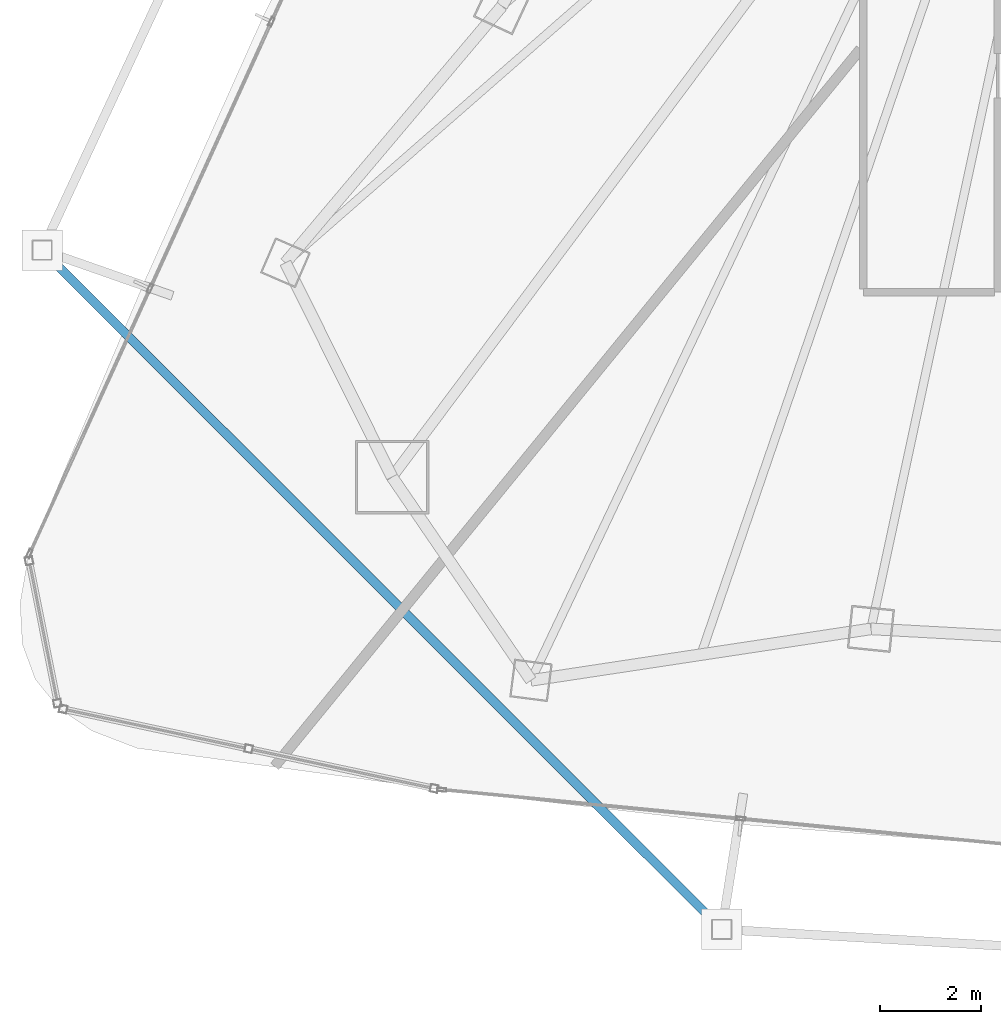
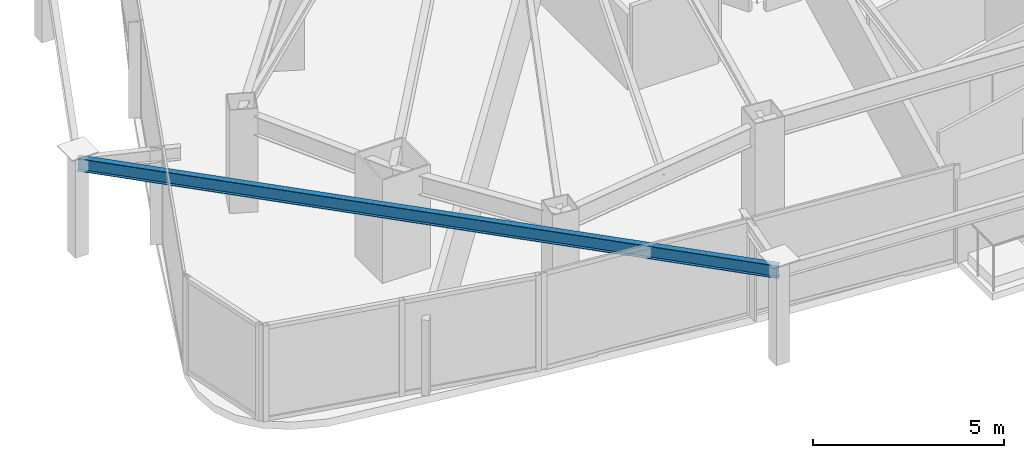
# One storey, part 3 of 33: 1 beam.
"""IFC4 building model written with IfcOpenShell, lengths in metres."""

from ifc_helpers import new_model, si_unit, direction, frame, origin, origin_2d, place, context, subcontext, project, spatial, i_section, extrude, material, material_profile, profile_set, type_object, element, save


model = new_model("IFC4")

# Units and contexts
model_context = context("Model", 3, precision=1e-05, world=origin(), true_north=direction((0.0, 1.0)))
body_context = subcontext(model_context, "Body", "Model", "MODEL_VIEW")
ifc_project = project(units=[si_unit("LENGTHUNIT", "METRE"), si_unit("AREAUNIT", "SQUARE_METRE"), si_unit("VOLUMEUNIT", "CUBIC_METRE"), si_unit("PLANEANGLEUNIT", "RADIAN"), si_unit("MASSUNIT", "GRAM", prefix="KILO")], contexts=[model_context])

# Site, building, storey
site_placement = place(None, origin())
site = spatial("IfcSite", under=ifc_project, at=site_placement, CompositionType="ELEMENT")
building_placement = place(site_placement, origin())
building = spatial("IfcBuilding", under=site, at=building_placement, Name="Orvanel Arch Residences", CompositionType="ELEMENT")
storey_placement = place(building_placement, frame((0.0, 0.0, 123.199951171875)))
storey = spatial("IfcBuildingStorey", under=building, at=storey_placement, Name="L34", CompositionType="ELEMENT", Elevation=123.199951171875)

# Beam
ifc_material = material(Name="Structural steel AS/NZS 3679.1 Grade 300 (300 MPa)", Category="steel")
ifc_material_profile = material_profile(ifc_material, i_section(OverallWidth=0.177978515625, OverallDepth=0.406005859375, WebThickness=0.0078125, FlangeThickness=0.0126953125, at=origin_2d()), Name="410UB59.7")
ifc_profile_set = profile_set([ifc_material_profile], Name="Structural steel AS/NZS 3679.1 Grade 300 (300 MPa)")
beam_type = type_object("IfcBeamType", Name="OB-410UB-EXT", PredefinedType="SPANDREL", material=ifc_profile_set)
beam_placement = place(storey_placement, frame((7.29296875, 14.830078125, 2.85693359375), z_axis=(0.707319161305, -0.70689433726, 0.0), x_axis=(0.70689433726, 0.707319161305, 0.0)))
element("IfcBeam", 1, at=beam_placement, inside=storey, type_object=beam_type, Name="L34 Outer Perimeter Floor Ring Beam 04", PredefinedType="SPANDREL", context=body_context, shape_type="SweptSolid", body=[
    extrude(i_section(OverallWidth=0.177978515625, OverallDepth=0.406005859375, WebThickness=0.0078125, FlangeThickness=0.0126953125, at=origin_2d()), origin(), (0.0, 0.0, 1.0), 18.964599609375),
])

save(model, "model.ifc")
